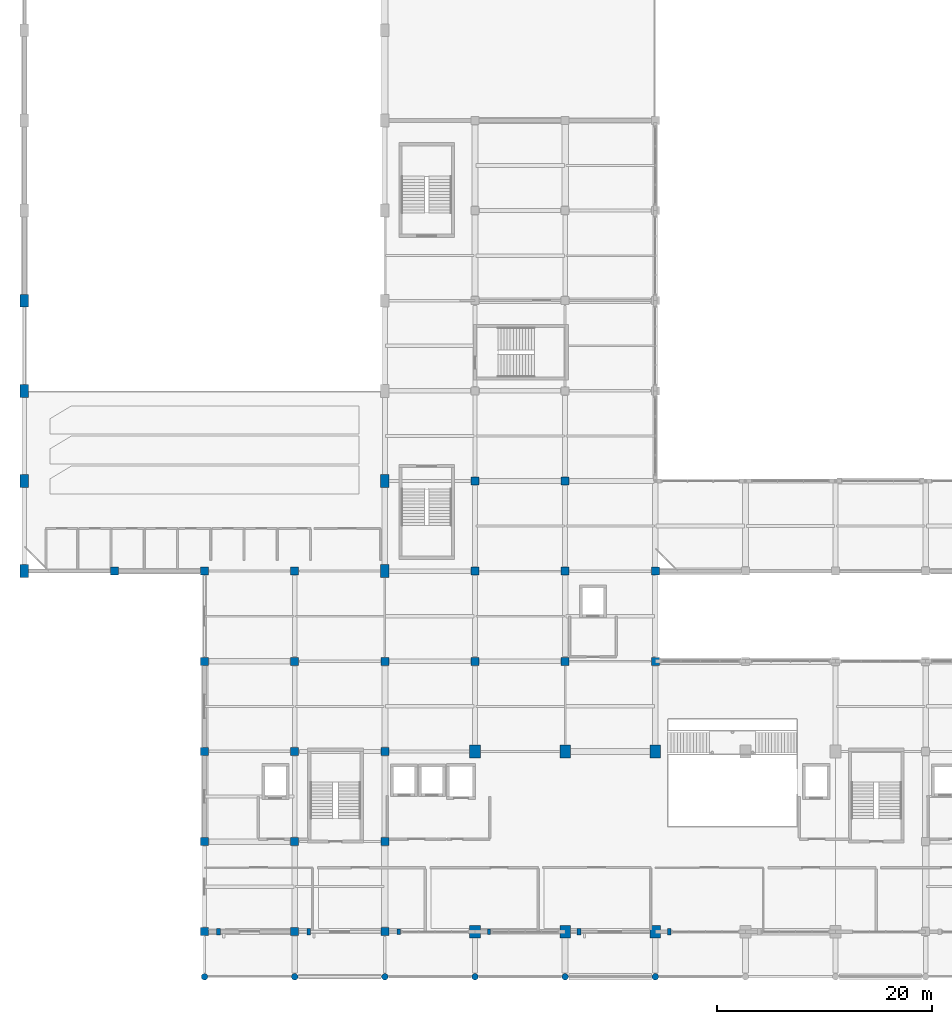
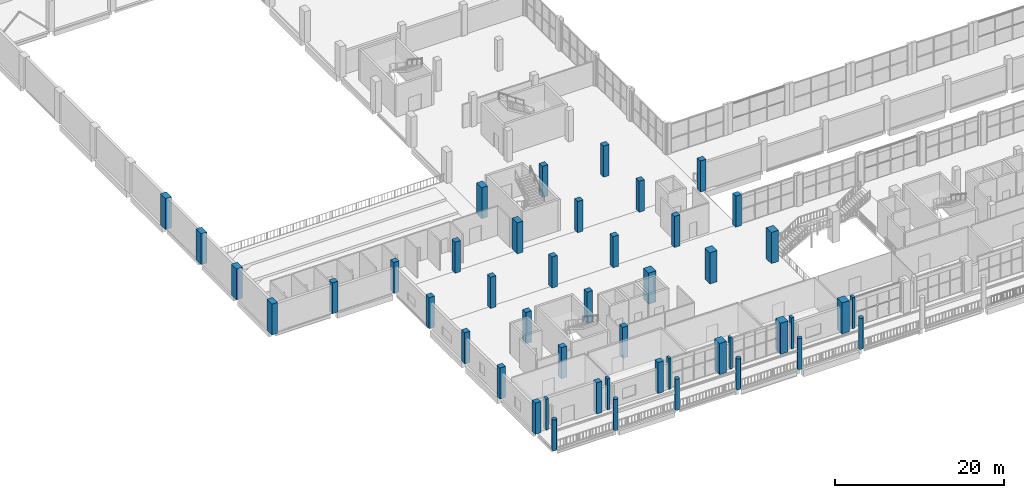
# One storey, part 1 of 75: 47 columns.
"""IFC4 building model written with IfcOpenShell, lengths in metres."""

from ifc_helpers import new_model, si_unit, derived_unit, direction, frame, origin, origin_2d, place, context, subcontext, project, spatial, rectangle, circle, extrude, material, material_profile, profile_set, type_object, element, save


model = new_model("IFC4")

# Units and contexts
model_context = context("Model", 3, precision=1e-05, world=origin(), true_north=direction((0.0, 1.0)))
body_context = subcontext(model_context, "Body", "Model", "MODEL_VIEW")
ifc_project = project(units=[si_unit("LENGTHUNIT", "METRE"), si_unit("AREAUNIT", "SQUARE_METRE"), si_unit("VOLUMEUNIT", "CUBIC_METRE"), si_unit("PLANEANGLEUNIT", "RADIAN"), si_unit("MASSUNIT", "GRAM", prefix="KILO"), derived_unit("THERMALTRANSMITTANCEUNIT", [(si_unit("POWERUNIT", "WATT"), 1), (si_unit("LENGTHUNIT", "METRE"), -2), (si_unit("THERMODYNAMICTEMPERATUREUNIT", "KELVIN"), -1)])], contexts=[model_context])

# Site, building, storey
site_placement = place(None, origin())
site = spatial("IfcSite", under=ifc_project, at=site_placement, CompositionType="ELEMENT")
building_placement = place(site_placement, origin())
building = spatial("IfcBuilding", under=site, at=building_placement, Name="Barrovel Congress Hotel", CompositionType="ELEMENT")
storey_placement = place(building_placement, frame((0.0, 0.0, 5.39990234375)))
storey = spatial("IfcBuildingStorey", under=building, at=storey_placement, Name="L01", CompositionType="ELEMENT", Elevation=5.39990234375)

# Columns
ifc_material_1 = material(Name="Concrete C40", Category="concrete")
ifc_material_profile_1 = material_profile(ifc_material_1, circle(Radius=0.300048828125, at=origin_2d()), Name="RC-D600")
ifc_profile_set_1 = profile_set([ifc_material_profile_1], Name="Concrete C40")
column_type_1 = type_object("IfcColumnType", Name="COL-RC-D600", PredefinedType="COLUMN", material=ifc_profile_set_1)
for number, where, z_axis, x_axis, name in (
    (1, (16.800048828125, 0.0, 0.0), (0.0, 0.0, 1.0), (1.0, 0.0, 0.0), "COL:L01:16.8:0.0"),
    (2, (25.199951171875, 0.0, 0.0), (0.0, 0.0, 1.0), (1.0, 0.0, 0.0), "COL:L01:25.2:0.0"),
    (3, (33.60009765625, 0.0, 0.0), (0.0, 0.0, 1.0), (1.0, 0.0, 0.0), "COL:L01:33.6:0.0"),
    (4, (42.0, 0.0, 0.0), (0.0, 0.0, 1.0), (1.0, 0.0, 0.0), "COL:L01:42.0:0.0"),
    (5, (50.39990234375, 0.0, 0.0), (0.0, 0.0, 1.0), (1.0, 0.0, 0.0), "COL:L01:50.4:0.0"),
    (6, (58.800048828125, 0.0, 0.0), (0.0, 0.0, 1.0), (1.0, 0.0, 0.0), "COL:L01:58.8:0.0"),
):
    element("IfcColumn", number, at=place(storey_placement, frame(where, z_axis=z_axis, x_axis=x_axis)), inside=storey, type_object=column_type_1, Name=name, PredefinedType="COLUMN", context=body_context, shape_type="SweptSolid", body=[
        extrude(circle(Radius=0.300048828125, at=origin_2d()), origin(), (0.0, 0.0, 1.0), 4.5),
    ])
ifc_material_2 = material(Name="Concrete C50", Category="concrete")
ifc_material_profile_2 = material_profile(ifc_material_2, rectangle(XDim=1.0, YDim=1.199951171875, at=origin_2d()), Name="RC1000x1200")
ifc_profile_set_2 = profile_set([ifc_material_profile_2], Name="Concrete C50")
column_type_2 = type_object("IfcColumnType", Name="COL-RC1000x1200", PredefinedType="COLUMN", material=ifc_profile_set_2)
for number, where, z_axis, x_axis, name in (
    (7, (42.0, 4.199951171875, 0.0), (0.0, 0.0, 1.0), (1.0, 0.0, 0.0), "COL:L01:42.0:4.2"),
    (8, (42.0, 21.0, 0.0), (0.0, 0.0, 1.0), (1.0, 0.0, 0.0), "COL:L01:42.0:21.0"),
    (9, (50.39990234375, 4.199951171875, 0.0), (0.0, 0.0, 1.0), (1.0, 0.0, 0.0), "COL:L01:50.4:4.2"),
    (10, (50.39990234375, 21.0, 0.0), (0.0, 0.0, 1.0), (1.0, 0.0, 0.0), "COL:L01:50.4:21.0"),
    (11, (58.800048828125, 4.199951171875, 0.0), (0.0, 0.0, 1.0), (1.0, 0.0, 0.0), "COL:L01:58.8:4.2"),
    (12, (58.800048828125, 21.0, 0.0), (0.0, 0.0, 1.0), (1.0, 0.0, 0.0), "COL:L01:58.8:21.0"),
):
    element("IfcColumn", number, at=place(storey_placement, frame(where, z_axis=z_axis, x_axis=x_axis)), inside=storey, type_object=column_type_2, Name=name, PredefinedType="COLUMN", context=body_context, shape_type="SweptSolid", body=[
        extrude(rectangle(XDim=1.0, YDim=1.199951171875, at=origin_2d()), origin(), (0.0, 0.0, 1.0), 4.5),
    ])
ifc_material_profile_3 = material_profile(ifc_material_1, rectangle(XDim=0.75, YDim=0.75, at=origin_2d()), Name="RC750x750")
ifc_profile_set_3 = profile_set([ifc_material_profile_3], Name="Concrete C40")
column_type_3 = type_object("IfcColumnType", Name="COL-RC750x750", PredefinedType="COLUMN", material=ifc_profile_set_3)
for number, where, z_axis, x_axis, name in (
    (13, (8.39990234375, 37.800048828125, 0.0), (0.0, 0.0, 1.0), (1.0, 0.0, 0.0), "COL:L01:8.4:37.8"),
    (14, (16.800048828125, 4.199951171875, 0.0), (0.0, 0.0, 1.0), (1.0, 0.0, 0.0), "COL:L01:16.8:4.2"),
    (15, (16.800048828125, 12.60009765625, 0.0), (0.0, 0.0, 1.0), (1.0, 0.0, 0.0), "COL:L01:16.8:12.6"),
    (16, (16.800048828125, 21.0, 0.0), (0.0, 0.0, 1.0), (1.0, 0.0, 0.0), "COL:L01:16.8:21.0"),
    (17, (16.800048828125, 29.39990234375, 0.0), (0.0, 0.0, 1.0), (1.0, 0.0, 0.0), "COL:L01:16.8:29.4"),
    (18, (16.800048828125, 37.800048828125, 0.0), (0.0, 0.0, 1.0), (1.0, 0.0, 0.0), "COL:L01:16.8:37.8"),
    (19, (25.199951171875, 4.199951171875, 0.0), (0.0, 0.0, 1.0), (1.0, 0.0, 0.0), "COL:L01:25.2:4.2"),
    (20, (25.199951171875, 12.60009765625, 0.0), (0.0, 0.0, 1.0), (1.0, 0.0, 0.0), "COL:L01:25.2:12.6"),
    (21, (25.199951171875, 21.0, 0.0), (0.0, 0.0, 1.0), (1.0, 0.0, 0.0), "COL:L01:25.2:21.0"),
    (22, (25.199951171875, 29.39990234375, 0.0), (0.0, 0.0, 1.0), (1.0, 0.0, 0.0), "COL:L01:25.2:29.4"),
    (23, (25.199951171875, 37.800048828125, 0.0), (0.0, 0.0, 1.0), (1.0, 0.0, 0.0), "COL:L01:25.2:37.8"),
    (24, (33.60009765625, 4.199951171875, 0.0), (0.0, 0.0, 1.0), (1.0, 0.0, 0.0), "COL:L01:33.6:4.2"),
    (25, (33.60009765625, 12.60009765625, 0.0), (0.0, 0.0, 1.0), (1.0, 0.0, 0.0), "COL:L01:33.6:12.6"),
    (26, (33.60009765625, 21.0, 0.0), (0.0, 0.0, 1.0), (1.0, 0.0, 0.0), "COL:L01:33.6:21.0"),
    (27, (33.60009765625, 29.39990234375, 0.0), (0.0, 0.0, 1.0), (1.0, 0.0, 0.0), "COL:L01:33.6:29.4"),
    (28, (42.0, 29.39990234375, 0.0), (0.0, 0.0, 1.0), (1.0, 0.0, 0.0), "COL:L01:42.0:29.4"),
    (29, (42.0, 37.800048828125, 0.0), (0.0, 0.0, 1.0), (1.0, 0.0, 0.0), "COL:L01:42.0:37.8"),
    (30, (42.0, 46.199951171875, 0.0), (0.0, 0.0, 1.0), (1.0, 0.0, 0.0), "COL:L01:42.0:46.2"),
    (31, (50.39990234375, 29.39990234375, 0.0), (0.0, 0.0, 1.0), (1.0, 0.0, 0.0), "COL:L01:50.4:29.4"),
    (32, (50.39990234375, 37.800048828125, 0.0), (0.0, 0.0, 1.0), (1.0, 0.0, 0.0), "COL:L01:50.4:37.8"),
    (33, (50.39990234375, 46.199951171875, 0.0), (0.0, 0.0, 1.0), (1.0, 0.0, 0.0), "COL:L01:50.4:46.2"),
    (34, (58.800048828125, 29.39990234375, 0.0), (0.0, 0.0, 1.0), (1.0, 0.0, 0.0), "COL:L01:58.8:29.4"),
    (35, (58.800048828125, 37.800048828125, 0.0), (0.0, 0.0, 1.0), (1.0, 0.0, 0.0), "COL:L01:58.8:37.8"),
):
    element("IfcColumn", number, at=place(storey_placement, frame(where, z_axis=z_axis, x_axis=x_axis)), inside=storey, type_object=column_type_3, Name=name, PredefinedType="COLUMN", context=body_context, shape_type="SweptSolid", body=[
        extrude(rectangle(XDim=0.75, YDim=0.75, at=origin_2d()), origin(), (0.0, 0.0, 1.0), 4.5),
    ])
ifc_material_profile_4 = material_profile(ifc_material_1, rectangle(XDim=0.800048828125, YDim=1.199951171875, at=origin_2d()), Name="RC800x1200")
ifc_profile_set_4 = profile_set([ifc_material_profile_4], Name="Concrete C40")
column_type_4 = type_object("IfcColumnType", Name="COL-RC800x1200", PredefinedType="COLUMN", material=ifc_profile_set_4)
for number, where, z_axis, x_axis, name in (
    (36, (0.0, 37.800048828125, 0.0), (0.0, 0.0, 1.0), (1.0, 0.0, 0.0), "COL:L01:0.0:37.8"),
    (37, (0.0, 46.199951171875, 0.0), (0.0, 0.0, 1.0), (1.0, 0.0, 0.0), "COL:L01:0.0:46.2"),
    (38, (0.0, 54.60009765625, 0.0), (0.0, 0.0, 1.0), (1.0, 0.0, 0.0), "COL:L01:0.0:54.6"),
    (39, (0.0, 63.0, 0.0), (0.0, 0.0, 1.0), (1.0, 0.0, 0.0), "COL:L01:0.0:63.0"),
    (40, (33.60009765625, 37.800048828125, 0.0), (0.0, 0.0, 1.0), (1.0, 0.0, 0.0), "COL:L01:33.6:37.8"),
    (41, (33.60009765625, 46.199951171875, 0.0), (0.0, 0.0, 1.0), (1.0, 0.0, 0.0), "COL:L01:33.6:46.2"),
):
    element("IfcColumn", number, at=place(storey_placement, frame(where, z_axis=z_axis, x_axis=x_axis)), inside=storey, type_object=column_type_4, Name=name, PredefinedType="COLUMN", context=body_context, shape_type="SweptSolid", body=[
        extrude(rectangle(XDim=0.800048828125, YDim=1.199951171875, at=origin_2d()), origin(), (0.0, 0.0, 1.0), 4.5),
    ])
ifc_material_profile_5 = material_profile(ifc_material_1, rectangle(XDim=0.300048828125, YDim=0.550048828125, at=origin_2d()), Name="RC300x550")
ifc_profile_set_5 = profile_set([ifc_material_profile_5], Name="Concrete C40")
column_type_5 = type_object("IfcColumnType", Name="PIL-RC300x550", PredefinedType="PILASTER", material=ifc_profile_set_5)
for number, where, z_axis, x_axis, name in (
    (42, (34.89990234375, 4.199951171875, 0.0), (0.0, 0.0, 1.0), (1.0, 0.0, 0.0), "PIL:L01:S:34.9"),
    (43, (43.300048828125, 4.199951171875, 0.0), (0.0, 0.0, 1.0), (1.0, 0.0, 0.0), "PIL:L01:S:43.3"),
):
    element("IfcColumn", number, at=place(storey_placement, frame(where, z_axis=z_axis, x_axis=x_axis)), inside=storey, type_object=column_type_5, Name=name, PredefinedType="PILASTER", context=body_context, shape_type="SweptSolid", body=[
        extrude(rectangle(XDim=0.300048828125, YDim=0.550048828125, at=origin_2d()), origin(), (0.0, 0.0, 1.0), 4.5),
    ])
ifc_material_profile_6 = material_profile(ifc_material_1, rectangle(XDim=0.35009765625, YDim=0.60009765625, at=origin_2d()), Name="RC350x600")
ifc_profile_set_6 = profile_set([ifc_material_profile_6], Name="Concrete C40")
column_type_6 = type_object("IfcColumnType", Name="PIL-RC350x600", PredefinedType="PILASTER", material=ifc_profile_set_6)
for number, where, z_axis, x_axis, name in (
    (44, (18.10009765625, 4.199951171875, 0.0), (0.0, 0.0, 1.0), (1.0, 0.0, 0.0), "PIL:L01:S:18.1"),
    (45, (26.5, 4.199951171875, 0.0), (0.0, 0.0, 1.0), (1.0, 0.0, 0.0), "PIL:L01:S:26.5"),
    (46, (51.699951171875, 4.199951171875, 0.0), (0.0, 0.0, 1.0), (1.0, 0.0, 0.0), "PIL:L01:S:51.7"),
    (47, (60.10009765625, 4.199951171875, 0.0), (0.0, 0.0, 1.0), (1.0, 0.0, 0.0), "PIL:L01:S:60.1"),
):
    element("IfcColumn", number, at=place(storey_placement, frame(where, z_axis=z_axis, x_axis=x_axis)), inside=storey, type_object=column_type_6, Name=name, PredefinedType="PILASTER", context=body_context, shape_type="SweptSolid", body=[
        extrude(rectangle(XDim=0.35009765625, YDim=0.60009765625, at=origin_2d()), origin(), (0.0, 0.0, 1.0), 4.5),
    ])

save(model, "model.ifc")
